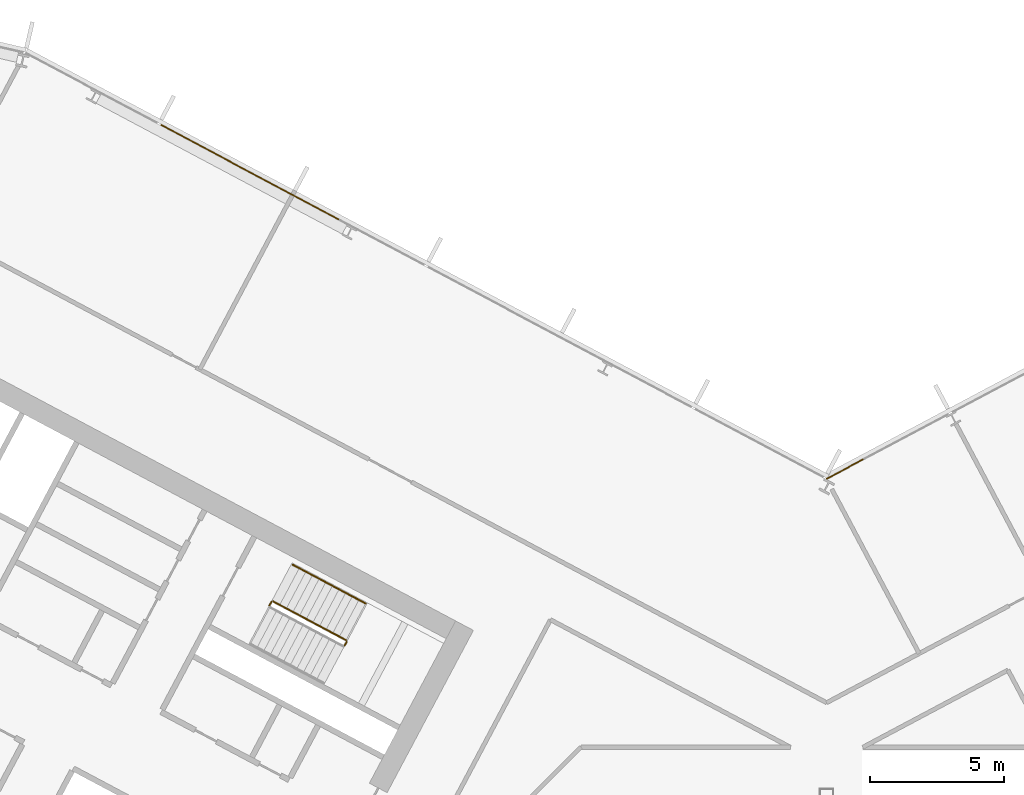
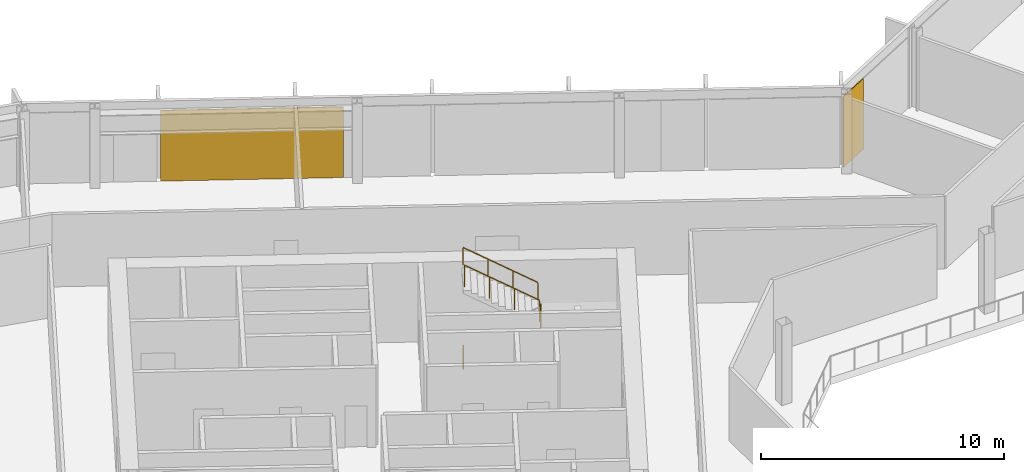
# One storey, part 23 of 28: 4 railings, 2 coverings, 2 elements without a shape of their own.
"""IFC4 building model written with IfcOpenShell, lengths in metres."""

from ifc_helpers import new_model, si_unit, direction, frame, origin, origin_2d, place, context, subcontext, project, spatial, polyline, rectangle, outline, extrude, material, layer, layer_set, type_object, element, aggregate, save


model = new_model("IFC4")

# Units and contexts
model_context = context("Model", 3, precision=1e-05, world=origin(), true_north=direction((0.0, 1.0)))
body_context = subcontext(model_context, "Body", "Model", "MODEL_VIEW")
ifc_project = project(units=[si_unit("LENGTHUNIT", "METRE"), si_unit("AREAUNIT", "SQUARE_METRE"), si_unit("VOLUMEUNIT", "CUBIC_METRE"), si_unit("PLANEANGLEUNIT", "RADIAN"), si_unit("MASSUNIT", "GRAM", prefix="KILO")], contexts=[model_context])

# Site, building, storey
site_placement = place(None, origin())
site = spatial("IfcSite", under=ifc_project, at=site_placement, CompositionType="ELEMENT")
building_placement = place(site_placement, origin())
building = spatial("IfcBuilding", under=site, at=building_placement, Name="Cormorant Relay Tower", CompositionType="ELEMENT")
storey_placement = place(building_placement, frame((0.0, 0.0, 122.199951171875)))
storey = spatial("IfcBuildingStorey", under=building, at=storey_placement, Name="L24", CompositionType="ELEMENT", Elevation=122.199951171875)

# Curtain wall, covering
ifc_material_1 = material(Name="Aluminium 6063-T6 anodised bronze", Category="aluminium")
ifc_layer_1 = layer(ifc_material_1, 0.199951171875)
ifc_layer_set_1 = layer_set([ifc_layer_1], Name="CW1 unitised bronze curtain wall with vertical fins")
curtain_wall_type = type_object("IfcCurtainWallType", Name="CW1 unitised bronze curtain wall with vertical fins", PredefinedType="NOTDEFINED", material=ifc_layer_set_1)
curtain_wall_1_placement = place(storey_placement, origin())
curtain_wall_1 = element("IfcCurtainWall", 1, at=curtain_wall_1_placement, inside=storey, type_object=curtain_wall_type, Name="CW1 curtain wall 8", PredefinedType="NOTDEFINED")
ifc_material_2 = material(Name="Pale bronze anodised aluminium insulated panel", Category="aluminium")
ifc_layer_2 = layer(ifc_material_2, 0.0400390625)
ifc_layer_set_2 = layer_set([ifc_layer_2], Name="CW1 pale bronze insulated panel 40")
covering_type = type_object("IfcCoveringType", Name="CW1 pale bronze insulated panel 40", PredefinedType="CLADDING", material=ifc_layer_set_2)
covering_1_placement = place(storey_placement, frame((0.6767578125, 24.16650390625, 0.0), z_axis=(0.0, 0.0, 1.0), x_axis=(-0.882947592859, -0.469471562786, 0.0)))
covering_1 = element("IfcCovering", 2, at=covering_1_placement, type_object=covering_type, Name="CW1 panel S08", PredefinedType="CLADDING", context=body_context, shape_type="SweptSolid", body=[
    extrude(rectangle(XDim=1.55419921875, YDim=0.0400390625, at=origin_2d()), origin(), (0.0, 0.0, 1.0), 3.550048828125),
])
aggregate(curtain_wall_1, [covering_1])

curtain_wall_2_placement = place(storey_placement, origin())
curtain_wall_2 = element("IfcCurtainWall", 3, at=curtain_wall_2_placement, inside=storey, type_object=curtain_wall_type, Name="CW1 curtain wall 9", PredefinedType="NOTDEFINED")
covering_2_placement = place(storey_placement, frame((-21.49560546875, 35.236083984375, 0.0), z_axis=(0.0, 0.0, 1.0), x_axis=(-0.882947592859, 0.469471562786, 0.0)))
covering_2 = element("IfcCovering", 4, at=covering_2_placement, type_object=covering_type, Name="CW1 panel S04", PredefinedType="CLADDING", context=body_context, shape_type="SweptSolid", body=[
    extrude(rectangle(XDim=7.528076171875, YDim=0.0400390625, at=origin_2d()), origin(), (0.0, 0.0, 1.0), 3.550048828125),
])
aggregate(curtain_wall_2, [covering_2])

# Railings
ifc_material_3 = material(Name="Steel ASTM A572 Grade 50 (Fy 345 MPa)", Category="steel")
railing_type_1 = type_object("IfcRailingType", Name="Stair guard 1100", PredefinedType="GUARDRAIL", material=ifc_material_3)
railing_1_placement = place(storey_placement, frame((-17.96337890625, 17.592529296875, 2.0)))
element("IfcRailing", 5, at=railing_1_placement, inside=storey, type_object=railing_type_1, Name="L24 A1 stair guard 2", PredefinedType="GUARDRAIL", context=body_context, shape_type="SweptSolid", body=[
    extrude(outline(polyline([(0.022216796875, 0.00927734375), (0.00927734375, 0.022216796875), (-0.00927734375, 0.022216796875), (-0.022216796875, 0.00927734375), (-0.022216796875, -0.00927734375), (-0.00927734375, -0.022216796875), (0.00927734375, -0.022216796875), (0.022216796875, -0.00927734375), (0.022216796875, 0.00927734375)])), frame((0.0, 0.0, 1.076171875), z_axis=(0.46856034887, 0.8834314911, 0.0), x_axis=(-0.8834314911, 0.46856034887, 0.0)), (0.0, 0.0, 1.0), 0.150146484375),
    extrude(outline(polyline([(0.019287109375, 0.008056640625), (0.008056640625, 0.019287109375), (-0.008056640625, 0.019287109375), (-0.019287109375, 0.008056640625), (-0.019287109375, -0.008056640625), (-0.008056640625, -0.019287109375), (0.008056640625, -0.019287109375), (0.019287109375, -0.008056640625), (0.019287109375, 0.008056640625)])), origin(), (0.0, 0.0, 1.0), 1.052001953125),
    extrude(outline(polyline([(0.019287109375, 0.008056640625), (0.008056640625, 0.019287109375), (-0.008056640625, 0.019287109375), (-0.019287109375, 0.008056640625), (-0.019287109375, -0.008056640625), (-0.008056640625, -0.019287109375), (0.008056640625, -0.019287109375), (0.019287109375, -0.008056640625), (0.019287109375, 0.008056640625)])), frame((0.0703125, 0.132568359375, 0.0)), (0.0, 0.0, 1.0), 1.052001953125),
])
railing_2_placement = place(storey_placement, frame((-17.913818359375, 17.792724609375, 2.166748046875)))
element("IfcRailing", 6, at=railing_2_placement, inside=storey, type_object=railing_type_1, Name="L24 A1 stair guard 3", PredefinedType="GUARDRAIL", context=body_context, shape_type="SweptSolid", body=[
    extrude(outline(polyline([(0.022216796875, 0.00927734375), (0.00927734375, 0.022216796875), (-0.00927734375, 0.022216796875), (-0.022216796875, 0.00927734375), (-0.022216796875, -0.00927734375), (-0.00927734375, -0.022216796875), (0.00927734375, -0.022216796875), (0.022216796875, -0.00927734375), (0.022216796875, 0.00927734375)])), frame((0.0, 0.0, 1.076171875), z_axis=(-0.758734504837, 0.403377838015, 0.511476559549), x_axis=(-0.469427602063, -0.882970965786, 0.0)), (0.0, 0.0, 1.0), 3.584228515625),
    extrude(outline(polyline([(0.019287109375, 0.008056640625), (0.008056640625, 0.019287109375), (-0.008056640625, 0.019287109375), (-0.019287109375, 0.008056640625), (-0.019287109375, -0.008056640625), (-0.008056640625, -0.019287109375), (0.008056640625, -0.019287109375), (0.019287109375, -0.008056640625), (0.019287109375, 0.008056640625)])), origin(), (0.0, 0.0, 1.0), 1.052001953125),
    extrude(outline(polyline([(0.019287109375, 0.008056640625), (0.008056640625, 0.019287109375), (-0.008056640625, 0.019287109375), (-0.019287109375, 0.008056640625), (-0.019287109375, -0.008056640625), (-0.008056640625, -0.019287109375), (0.008056640625, -0.019287109375), (0.019287109375, -0.008056640625), (0.019287109375, 0.008056640625)])), frame((-0.906494140625, 0.48193359375, 0.611083984375)), (0.0, 0.0, 1.0), 1.052001953125),
    extrude(outline(polyline([(0.019287109375, 0.008056640625), (0.008056640625, 0.019287109375), (-0.008056640625, 0.019287109375), (-0.019287109375, 0.008056640625), (-0.019287109375, -0.008056640625), (-0.008056640625, -0.019287109375), (0.008056640625, -0.019287109375), (0.019287109375, -0.008056640625), (0.019287109375, 0.008056640625)])), frame((-1.81298828125, 0.9638671875, 1.22216796875)), (0.0, 0.0, 1.0), 1.052001953125),
    extrude(outline(polyline([(0.019287109375, 0.008056640625), (0.008056640625, 0.019287109375), (-0.008056640625, 0.019287109375), (-0.019287109375, 0.008056640625), (-0.019287109375, -0.008056640625), (-0.008056640625, -0.019287109375), (0.008056640625, -0.019287109375), (0.019287109375, -0.008056640625), (0.019287109375, 0.008056640625)])), frame((-2.719482421875, 1.44580078125, 1.833251953125)), (0.0, 0.0, 1.0), 1.052001953125),
])
railing_3_placement = place(storey_placement, frame((-20.771240234375, 19.08544921875, 0.0)))
element("IfcRailing", 7, at=railing_3_placement, inside=storey, type_object=railing_type_1, Name="L24 A1 stair guard 4", PredefinedType="GUARDRAIL", context=body_context, shape_type="SweptSolid", body=[
    extrude(outline(polyline([(0.022216796875, 0.00927734375), (0.00927734375, 0.022216796875), (-0.00927734375, 0.022216796875), (-0.022216796875, 0.00927734375), (-0.022216796875, -0.00927734375), (-0.00927734375, -0.022216796875), (0.00927734375, -0.022216796875), (0.022216796875, -0.00927734375), (0.022216796875, 0.00927734375)])), frame((0.0, 0.0, 1.076171875), z_axis=(0.469828648786, 0.882757634224, 0.0), x_axis=(-0.882757634224, 0.469828648786, 0.0)), (0.0, 0.0, 1.0), 0.150146484375),
    extrude(outline(polyline([(0.019287109375, 0.008056640625), (0.008056640625, 0.019287109375), (-0.008056640625, 0.019287109375), (-0.019287109375, 0.008056640625), (-0.019287109375, -0.008056640625), (-0.008056640625, -0.019287109375), (0.008056640625, -0.019287109375), (0.019287109375, -0.008056640625), (0.019287109375, 0.008056640625)])), origin(), (0.0, 0.0, 1.0), 1.052001953125),
    extrude(outline(polyline([(0.019287109375, 0.008056640625), (0.008056640625, 0.019287109375), (-0.008056640625, 0.019287109375), (-0.019287109375, 0.008056640625), (-0.019287109375, -0.008056640625), (-0.008056640625, -0.019287109375), (0.008056640625, -0.019287109375), (0.019287109375, -0.008056640625), (0.019287109375, 0.008056640625)])), frame((0.070556640625, 0.132568359375, 0.0)), (0.0, 0.0, 1.0), 1.052001953125),
])
ifc_material_4 = material(Name="Steel ASTM A572 Grade 50 (Fy 345 MPa)", Category="steel")
railing_type_2 = type_object("IfcRailingType", Name="Stair handrail 900", PredefinedType="HANDRAIL", material=ifc_material_4)
railing_4_placement = place(storey_placement, frame((-17.18603515625, 19.1611328125, 2.166748046875)))
element("IfcRailing", 8, at=railing_4_placement, inside=storey, type_object=railing_type_2, Name="L24 A1 stair handrail 2", PredefinedType="HANDRAIL", context=body_context, shape_type="SweptSolid", body=[
    extrude(outline(polyline([(0.022216796875, 0.00927734375), (0.00927734375, 0.022216796875), (-0.00927734375, 0.022216796875), (-0.022216796875, 0.00927734375), (-0.022216796875, -0.00927734375), (-0.00927734375, -0.022216796875), (0.00927734375, -0.022216796875), (0.022216796875, -0.00927734375), (0.022216796875, 0.00927734375)])), frame((0.0, 0.0, 0.8759765625), z_axis=(-0.758713656843, 0.403434867536, 0.511462505542), x_axis=(-0.469489399267, -0.882938108802, 0.0)), (0.0, 0.0, 1.0), 3.584228515625),
    extrude(outline(polyline([(0.019287109375, 0.008056640625), (0.008056640625, 0.019287109375), (-0.008056640625, 0.019287109375), (-0.019287109375, 0.008056640625), (-0.019287109375, -0.008056640625), (-0.008056640625, -0.019287109375), (0.008056640625, -0.019287109375), (0.019287109375, -0.008056640625), (0.019287109375, 0.008056640625)])), origin(), (0.0, 0.0, 1.0), 0.851806640625),
    extrude(outline(polyline([(0.019287109375, 0.008056640625), (0.008056640625, 0.019287109375), (-0.008056640625, 0.019287109375), (-0.019287109375, 0.008056640625), (-0.019287109375, -0.008056640625), (-0.008056640625, -0.019287109375), (0.008056640625, -0.019287109375), (0.019287109375, -0.008056640625), (0.019287109375, 0.008056640625)])), frame((-0.906494140625, 0.48193359375, 0.611083984375)), (0.0, 0.0, 1.0), 0.851806640625),
    extrude(outline(polyline([(0.019287109375, 0.008056640625), (0.008056640625, 0.019287109375), (-0.008056640625, 0.019287109375), (-0.019287109375, 0.008056640625), (-0.019287109375, -0.008056640625), (-0.008056640625, -0.019287109375), (0.008056640625, -0.019287109375), (0.019287109375, -0.008056640625), (0.019287109375, 0.008056640625)])), frame((-1.81298828125, 0.964111328125, 1.22216796875)), (0.0, 0.0, 1.0), 0.851806640625),
    extrude(outline(polyline([(0.019287109375, 0.008056640625), (0.008056640625, 0.019287109375), (-0.008056640625, 0.019287109375), (-0.019287109375, 0.008056640625), (-0.019287109375, -0.008056640625), (-0.008056640625, -0.019287109375), (0.008056640625, -0.019287109375), (0.019287109375, -0.008056640625), (0.019287109375, 0.008056640625)])), frame((-2.719482421875, 1.446044921875, 1.833251953125)), (0.0, 0.0, 1.0), 0.851806640625),
])

save(model, "model.ifc")
